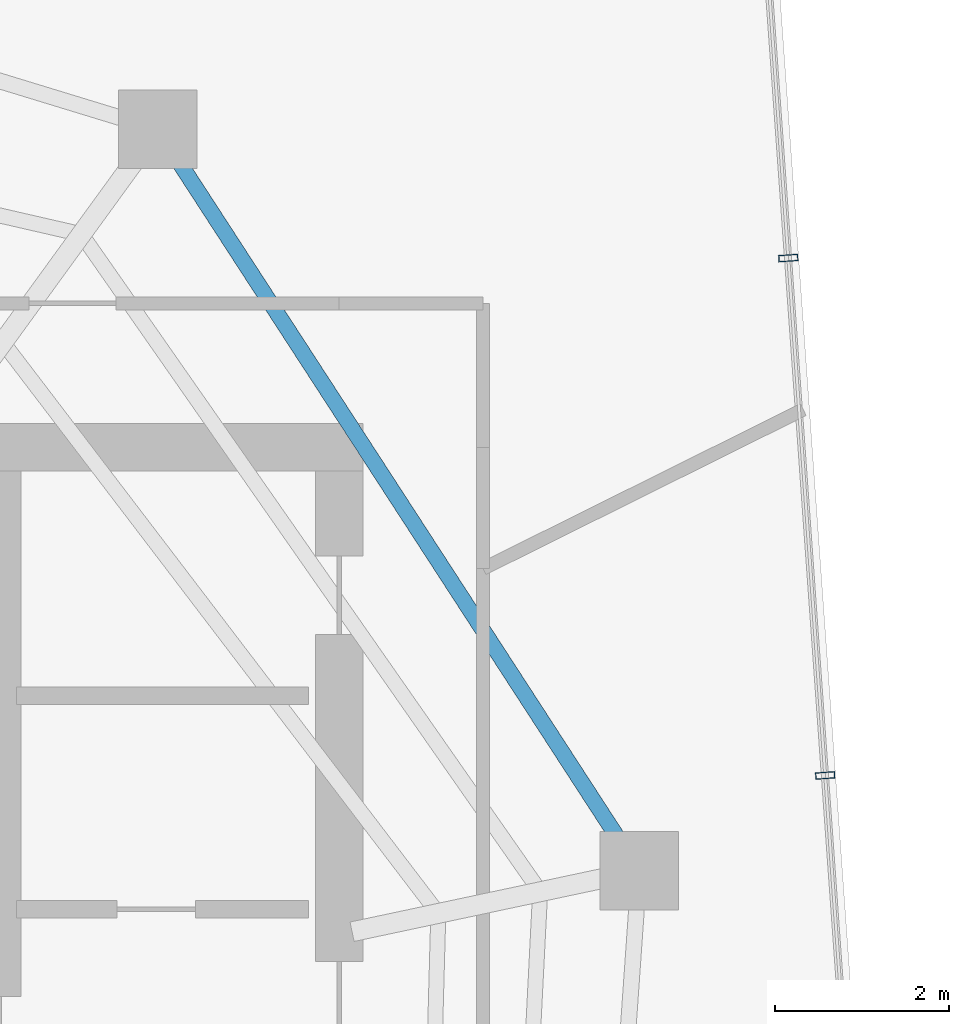
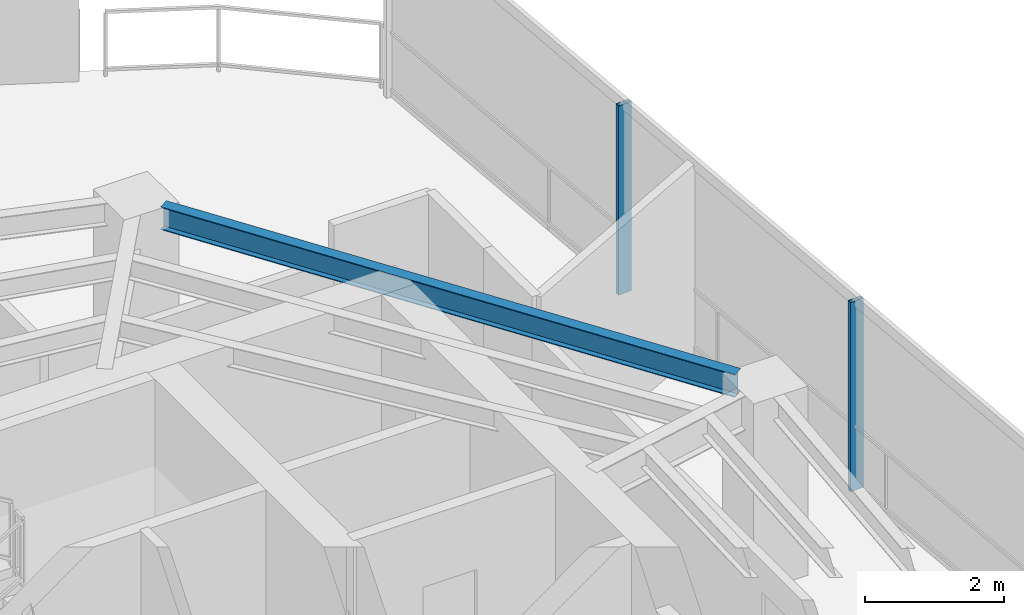
# One storey, part 11 of 20: 2 members, 1 beam, 1 element without a shape of its own.
"""IFC4 building model written with IfcOpenShell, lengths in metres."""

from ifc_helpers import new_model, si_unit, direction, frame, origin, origin_2d, place, context, subcontext, project, spatial, hollow_rectangle, i_section, extrude, material, layer, layer_set, material_profile, profile_set, type_object, element, aggregate, save


model = new_model("IFC4")

# Units and contexts
model_context = context("Model", 3, precision=1e-05, world=origin(), true_north=direction((0.0, 1.0)))
body_context = subcontext(model_context, "Body", "Model", "MODEL_VIEW")
ifc_project = project(units=[si_unit("LENGTHUNIT", "METRE"), si_unit("AREAUNIT", "SQUARE_METRE"), si_unit("VOLUMEUNIT", "CUBIC_METRE"), si_unit("PLANEANGLEUNIT", "RADIAN"), si_unit("MASSUNIT", "GRAM", prefix="KILO")], contexts=[model_context])

# Site, building, storey
site_placement = place(None, origin())
site = spatial("IfcSite", under=ifc_project, at=site_placement, CompositionType="ELEMENT")
building_placement = place(site_placement, origin())
building = spatial("IfcBuilding", under=site, at=building_placement, Name="Qarnah Convention Tower", CompositionType="ELEMENT")
storey_placement = place(building_placement, frame((0.0, 0.0, 195.0)))
storey = spatial("IfcBuildingStorey", under=building, at=storey_placement, Name="L52", CompositionType="ELEMENT", Elevation=195.0)

# Beam
ifc_material_1 = material(Name="Structural steel S355JR", Category="steel")
ifc_material_profile_1 = material_profile(ifc_material_1, i_section(OverallWidth=0.179931640625, OverallDepth=0.39990234375, WebThickness=0.009033203125, FlangeThickness=0.013916015625, at=origin_2d()), Name="IPE400")
ifc_profile_set_1 = profile_set([ifc_material_profile_1], Name="Structural steel S355JR")
beam_type = type_object("IfcBeamType", Name="BM-SPN-IPE400", PredefinedType="SPANDREL", material=ifc_profile_set_1)
beam_placement = place(storey_placement, frame((50.801025390625, 29.7109375, 3.1201171875), z_axis=(-0.544586178954, 0.838704890705, 0.0), x_axis=(-0.838704890705, -0.544586178954, 0.0)))
element("IfcBeam", 1, at=beam_placement, inside=storey, type_object=beam_type, Name="L52 spandrel BM-L52-SPN-01", PredefinedType="SPANDREL", context=body_context, shape_type="SweptSolid", body=[
    extrude(i_section(OverallWidth=0.179931640625, OverallDepth=0.39990234375, WebThickness=0.009033203125, FlangeThickness=0.013916015625, at=origin_2d()), origin(), (0.0, 0.0, 1.0), 9.261962890625),
])

# Curtain wall, members
ifc_material_2 = material(Name="Tempered Low-E dark glass", Category="glass")
ifc_layer = layer(ifc_material_2, 0.174072265625)
ifc_layer_set = layer_set([ifc_layer], Name="Tempered Low-E dark glass")
curtain_wall_type = type_object("IfcCurtainWallType", Name="CWS-04", PredefinedType="NOTDEFINED", material=ifc_layer_set)
curtain_wall_placement = place(storey_placement, origin())
curtain_wall = element("IfcCurtainWall", 2, at=curtain_wall_placement, inside=storey, type_object=curtain_wall_type, Name="L52 unitised curtain wall CW-L52-F3", PredefinedType="NOTDEFINED")
ifc_material_3 = material(Name="Black anodised aluminium", Category="aluminium")
ifc_material_profile_2 = material_profile(ifc_material_3, hollow_rectangle(XDim=0.074951171875, YDim=0.219970703125, WallThickness=0.0048828125, at=origin_2d()), Name="MUL-75X220")
ifc_profile_set_2 = profile_set([ifc_material_profile_2], Name="Black anodised aluminium")
member_type = type_object("IfcMemberType", Name="MUL-T4", PredefinedType="MULLION", material=ifc_profile_set_2)
member_1_placement = place(storey_placement, frame((52.751220703125, 36.3701171875, 0.0), z_axis=(0.0, 0.0, 1.0), x_axis=(0.071127610581, -0.997467224029, 0.0)))
member_1 = element("IfcMember", 3, at=member_1_placement, type_object=member_type, Name="CW-L52-F3 mullion 2", PredefinedType="MULLION", context=body_context, shape_type="SweptSolid", body=[
    extrude(hollow_rectangle(XDim=0.074951171875, YDim=0.219970703125, WallThickness=0.0048828125, at=origin_2d()), origin(), (0.0, 0.0, 1.0), 3.320068359375),
])
member_2_placement = place(storey_placement, frame((53.17431640625, 30.435302734375, 0.0), z_axis=(0.0, 0.0, 1.0), x_axis=(0.071127610581, -0.997467224029, 0.0)))
member_2 = element("IfcMember", 4, at=member_2_placement, type_object=member_type, Name="CW-L52-F3 mullion 3", PredefinedType="MULLION", context=body_context, shape_type="SweptSolid", body=[
    extrude(hollow_rectangle(XDim=0.074951171875, YDim=0.219970703125, WallThickness=0.0048828125, at=origin_2d()), origin(), (0.0, 0.0, 1.0), 3.320068359375),
])
aggregate(curtain_wall, [member_1, member_2])

save(model, "model.ifc")
